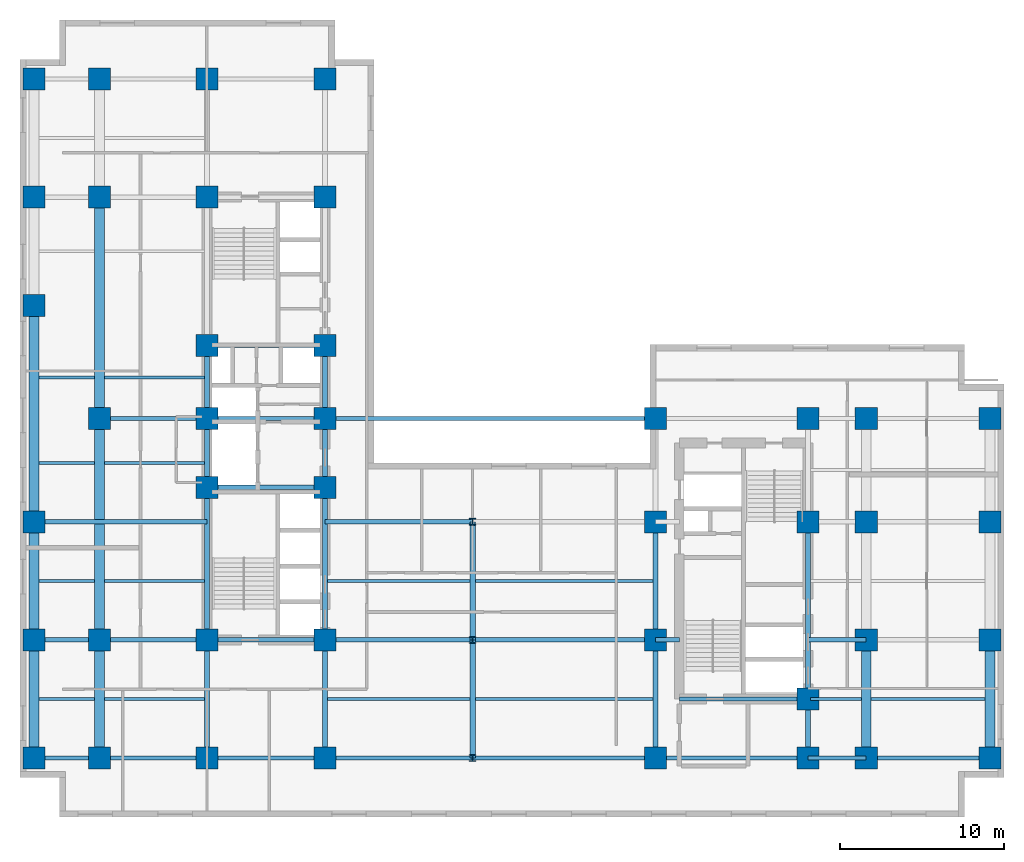
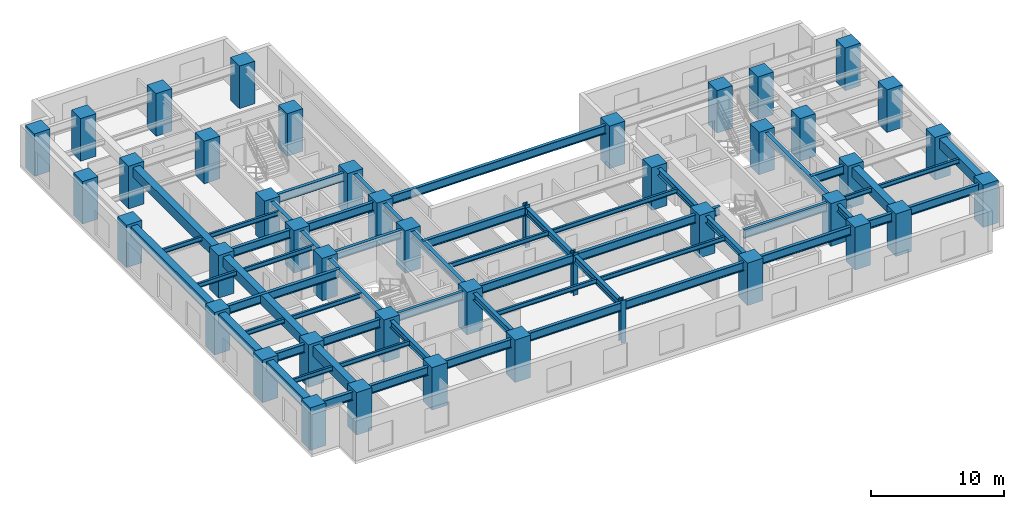
# One storey, part 1 of 9: 59 beams, 44 columns.
"""IFC4 building model written with IfcOpenShell, lengths in metres."""

from ifc_helpers import new_model, entity, si_unit, converted_unit, direction, frame, origin_with_axes, origin_2d_with_axis, place, context, subcontext, project, spatial, rectangle, i_section, extrude, material, material_profile, profile_set, type_object, element, save


model = new_model("IFC4")

# Units and contexts
model_context = context("Model", 3, precision=1e-05, world=origin_with_axes(), true_north=direction((0.0, 1.0)))
body_context = subcontext(model_context, "Body", "Model", "MODEL_VIEW")
ifc_project = project(units=[si_unit("LENGTHUNIT", "METRE"), si_unit("AREAUNIT", "SQUARE_METRE"), si_unit("VOLUMEUNIT", "CUBIC_METRE"), converted_unit("PLANEANGLEUNIT", "DEGREE", entity("IfcPlaneAngleMeasure", 0.017453292519943295), si_unit("PLANEANGLEUNIT", "RADIAN"), dimensions=[0, 0, 0, 0, 0, 0, 0]), si_unit("MASSUNIT", "GRAM", prefix="KILO"), si_unit("THERMODYNAMICTEMPERATUREUNIT", "KELVIN")], contexts=[model_context])

# Site, building, storey
site_placement = place(None, origin_with_axes())
site = spatial("IfcSite", under=ifc_project, at=site_placement, CompositionType="ELEMENT")
building_placement = place(site_placement, origin_with_axes())
building = spatial("IfcBuilding", under=site, at=building_placement, Name="Varnlund Millrace Tower", CompositionType="ELEMENT")
storey_placement = place(building_placement, frame((0.0, 0.0, 63.9), z_axis=(0.0, 0.0, 1.0), x_axis=(1.0, 0.0, 0.0)))
storey = spatial("IfcBuildingStorey", under=building, at=storey_placement, Name="L15", CompositionType="ELEMENT", Elevation=63.9)

# Columns
ifc_material_1 = material(Name="Steel ASTM A913 Grade 65", Category="steel")
ifc_material_profile_1 = material_profile(ifc_material_1, i_section(OverallWidth=0.406, OverallDepth=0.416, WebThickness=0.0298, FlangeThickness=0.048, FilletRadius=0.022, at=origin_2d_with_axis()), Name="Steel ASTM A913 Grade 65")
ifc_profile_set_1 = profile_set([ifc_material_profile_1], Name="Steel ASTM A913 Grade 65")
column_type_1 = type_object("IfcColumnType", Name="Type-Col-Int-W14X257", PredefinedType="COLUMN", material=ifc_profile_set_1)
for number, where, z_axis, x_axis, name in (
    (1, (27.6, 3.6, 0.0), (0.0, 0.0, 1.0), (1.0, 0.0, 0.0), "Type-Col-Int-W14X257"),
    (2, (27.6, 10.8, 0.0), (0.0, 0.0, 1.0), (1.0, 0.0, 0.0), "Type-Col-Int-W14X257"),
    (3, (27.6, 18.0, 0.0), (0.0, 0.0, 1.0), (1.0, 0.0, 0.0), "Type-Col-Int-W14X257"),
):
    element("IfcColumn", number, at=place(storey_placement, frame(where, z_axis=z_axis, x_axis=x_axis)), inside=storey, type_object=column_type_1, Name=name, PredefinedType="COLUMN", context=body_context, shape_type="SweptSolid", body=[
        extrude(i_section(OverallWidth=0.406, OverallDepth=0.416, WebThickness=0.0298, FlangeThickness=0.048, FilletRadius=0.022, at=origin_2d_with_axis()), origin_with_axes(), (0.0, 0.0, 1.0), 3.9),
    ])
ifc_material_2 = material(Name="Concrete C80/95", Category="concrete")
ifc_material_profile_2 = material_profile(ifc_material_2, rectangle(XDim=1.35, YDim=1.35, at=origin_2d_with_axis()), Name="Concrete C80/95")
ifc_profile_set_2 = profile_set([ifc_material_profile_2], Name="Concrete C80/95")
column_type_2 = type_object("IfcColumnType", Name="Type-Col-RC1350-C80", PredefinedType="COLUMN", material=ifc_profile_set_2)
for number, where, z_axis, x_axis, name in (
    (4, (11.4, 3.6, 0.0), (0.0, 0.0, 1.0), (1.0, 0.0, 0.0), "Type-Col-RC1350-C80"),
    (5, (11.4, 10.8, 0.0), (0.0, 0.0, 1.0), (1.0, 0.0, 0.0), "Type-Col-RC1350-C80"),
    (6, (11.4, 20.1, 0.0), (0.0, 0.0, 1.0), (1.0, 0.0, 0.0), "Type-Col-RC1350-C80"),
    (7, (11.4, 24.3, 0.0), (0.0, 0.0, 1.0), (1.0, 0.0, 0.0), "Type-Col-RC1350-C80"),
    (8, (11.4, 28.75, 0.0), (0.0, 0.0, 1.0), (1.0, 0.0, 0.0), "Type-Col-RC1350-C80"),
    (9, (11.4, 37.8, 0.0), (0.0, 0.0, 1.0), (1.0, 0.0, 0.0), "Type-Col-RC1350-C80"),
    (10, (11.4, 45.0, 0.0), (0.0, 0.0, 1.0), (1.0, 0.0, 0.0), "Type-Col-RC1350-C80"),
    (11, (18.6, 3.6, 0.0), (0.0, 0.0, 1.0), (1.0, 0.0, 0.0), "Type-Col-RC1350-C80"),
    (12, (18.6, 10.8, 0.0), (0.0, 0.0, 1.0), (1.0, 0.0, 0.0), "Type-Col-RC1350-C80"),
    (13, (18.6, 20.1, 0.0), (0.0, 0.0, 1.0), (1.0, 0.0, 0.0), "Type-Col-RC1350-C80"),
    (14, (18.6, 24.3, 0.0), (0.0, 0.0, 1.0), (1.0, 0.0, 0.0), "Type-Col-RC1350-C80"),
    (15, (18.6, 28.75, 0.0), (0.0, 0.0, 1.0), (1.0, 0.0, 0.0), "Type-Col-RC1350-C80"),
    (16, (18.6, 37.8, 0.0), (0.0, 0.0, 1.0), (1.0, 0.0, 0.0), "Type-Col-RC1350-C80"),
    (17, (18.6, 45.0, 0.0), (0.0, 0.0, 1.0), (1.0, 0.0, 0.0), "Type-Col-RC1350-C80"),
    (18, (4.85, 3.6, 0.0), (0.0, 0.0, 1.0), (1.0, 0.0, 0.0), "Type-Col-RC1350-C80"),
    (19, (4.85, 10.8, 0.0), (0.0, 0.0, 1.0), (1.0, 0.0, 0.0), "Type-Col-RC1350-C80"),
    (20, (4.85, 24.3, 0.0), (0.0, 0.0, 1.0), (1.0, 0.0, 0.0), "Type-Col-RC1350-C80"),
    (21, (4.85, 37.8, 0.0), (0.0, 0.0, 1.0), (1.0, 0.0, 0.0), "Type-Col-RC1350-C80"),
    (22, (4.85, 45.0, 0.0), (0.0, 0.0, 1.0), (1.0, 0.0, 0.0), "Type-Col-RC1350-C80"),
    (23, (0.85, 3.6, 0.0), (0.0, 0.0, 1.0), (1.0, 0.0, 0.0), "Type-Col-RC1350-C80"),
    (24, (0.85, 10.8, 0.0), (0.0, 0.0, 1.0), (1.0, 0.0, 0.0), "Type-Col-RC1350-C80"),
    (25, (0.85, 18.0, 0.0), (0.0, 0.0, 1.0), (1.0, 0.0, 0.0), "Type-Col-RC1350-C80"),
    (26, (0.85, 31.2, 0.0), (0.0, 0.0, 1.0), (1.0, 0.0, 0.0), "Type-Col-RC1350-C80"),
    (27, (0.85, 37.8, 0.0), (0.0, 0.0, 1.0), (1.0, 0.0, 0.0), "Type-Col-RC1350-C80"),
    (28, (0.85, 45.0, 0.0), (0.0, 0.0, 1.0), (1.0, 0.0, 0.0), "Type-Col-RC1350-C80"),
    (29, (38.75, 3.6, 0.0), (0.0, 0.0, 1.0), (1.0, 0.0, 0.0), "Type-Col-RC1350-C80"),
    (30, (38.75, 10.8, 0.0), (0.0, 0.0, 1.0), (1.0, 0.0, 0.0), "Type-Col-RC1350-C80"),
    (31, (38.75, 18.0, 0.0), (0.0, 0.0, 1.0), (1.0, 0.0, 0.0), "Type-Col-RC1350-C80"),
    (32, (38.75, 24.3, 0.0), (0.0, 0.0, 1.0), (1.0, 0.0, 0.0), "Type-Col-RC1350-C80"),
    (33, (48.05, 3.6, 0.0), (0.0, 0.0, 1.0), (1.0, 0.0, 0.0), "Type-Col-RC1350-C80"),
    (34, (48.05, 7.2, 0.0), (0.0, 0.0, 1.0), (1.0, 0.0, 0.0), "Type-Col-RC1350-C80"),
    (35, (48.05, 18.0, 0.0), (0.0, 0.0, 1.0), (1.0, 0.0, 0.0), "Type-Col-RC1350-C80"),
    (36, (48.05, 24.3, 0.0), (0.0, 0.0, 1.0), (1.0, 0.0, 0.0), "Type-Col-RC1350-C80"),
    (37, (51.6, 3.6, 0.0), (0.0, 0.0, 1.0), (1.0, 0.0, 0.0), "Type-Col-RC1350-C80"),
    (38, (51.6, 10.8, 0.0), (0.0, 0.0, 1.0), (1.0, 0.0, 0.0), "Type-Col-RC1350-C80"),
    (39, (51.6, 18.0, 0.0), (0.0, 0.0, 1.0), (1.0, 0.0, 0.0), "Type-Col-RC1350-C80"),
    (40, (51.6, 24.3, 0.0), (0.0, 0.0, 1.0), (1.0, 0.0, 0.0), "Type-Col-RC1350-C80"),
    (41, (59.15, 3.6, 0.0), (0.0, 0.0, 1.0), (1.0, 0.0, 0.0), "Type-Col-RC1350-C80"),
    (42, (59.15, 10.8, 0.0), (0.0, 0.0, 1.0), (1.0, 0.0, 0.0), "Type-Col-RC1350-C80"),
    (43, (59.15, 18.0, 0.0), (0.0, 0.0, 1.0), (1.0, 0.0, 0.0), "Type-Col-RC1350-C80"),
    (44, (59.15, 24.3, 0.0), (0.0, 0.0, 1.0), (1.0, 0.0, 0.0), "Type-Col-RC1350-C80"),
):
    element("IfcColumn", number, at=place(storey_placement, frame(where, z_axis=z_axis, x_axis=x_axis)), inside=storey, type_object=column_type_2, Name=name, PredefinedType="COLUMN", context=body_context, shape_type="SweptSolid", body=[
        extrude(rectangle(XDim=1.35, YDim=1.35, at=origin_2d_with_axis()), origin_with_axes(), (0.0, 0.0, 1.0), 3.9),
    ])

# Beams
ifc_material_3 = material(Name="Steel ASTM A992 Grade 50", Category="steel")
ifc_material_profile_3 = material_profile(ifc_material_3, i_section(OverallWidth=0.328, OverallDepth=0.628, WebThickness=0.0165, FlangeThickness=0.0277, FilletRadius=0.018, at=origin_2d_with_axis()), Name="Steel ASTM A992 Grade 50")
ifc_profile_set_3 = profile_set([ifc_material_profile_3], Name="Steel ASTM A992 Grade 50")
beam_type_1 = type_object("IfcBeamType", Name="Type-Girder-W24X146", PredefinedType="USERDEFINED", material=ifc_profile_set_3)
beam_1_placement = place(storey_placement, frame((11.4, 3.6, 3.346), z_axis=(0.0, 1.0, 0.0), x_axis=(-1.0, 0.0, 0.0)))
element("IfcBeam", 45, at=beam_1_placement, inside=storey, type_object=beam_type_1, Name="Type-Girder-W24X146", ObjectType="GIRDER", PredefinedType="USERDEFINED", context=body_context, shape_type="SweptSolid", body=[
    extrude(i_section(OverallWidth=0.328, OverallDepth=0.628, WebThickness=0.0165, FlangeThickness=0.0277, FilletRadius=0.018, at=origin_2d_with_axis()), origin_with_axes(), (0.0, 0.0, 1.0), 7.2),
])
beam_2_placement = place(storey_placement, frame((11.4, 10.8, 3.346), z_axis=(0.0, 1.0, 0.0), x_axis=(-1.0, 0.0, 0.0)))
element("IfcBeam", 46, at=beam_2_placement, inside=storey, type_object=beam_type_1, Name="Type-Girder-W24X146", ObjectType="GIRDER", PredefinedType="USERDEFINED", context=body_context, shape_type="SweptSolid", body=[
    extrude(i_section(OverallWidth=0.328, OverallDepth=0.628, WebThickness=0.0165, FlangeThickness=0.0277, FilletRadius=0.018, at=origin_2d_with_axis()), origin_with_axes(), (0.0, 0.0, 1.0), 9.3),
])
beam_3_placement = place(storey_placement, frame((11.4, 20.1, 3.346), z_axis=(0.0, 1.0, 0.0), x_axis=(-1.0, 0.0, 0.0)))
element("IfcBeam", 47, at=beam_3_placement, inside=storey, type_object=beam_type_1, Name="Type-Girder-W24X146", ObjectType="GIRDER", PredefinedType="USERDEFINED", context=body_context, shape_type="SweptSolid", body=[
    extrude(i_section(OverallWidth=0.328, OverallDepth=0.628, WebThickness=0.0165, FlangeThickness=0.0277, FilletRadius=0.018, at=origin_2d_with_axis()), origin_with_axes(), (0.0, 0.0, 1.0), 4.2),
])
beam_4_placement = place(storey_placement, frame((11.4, 24.3, 3.346), z_axis=(0.0, 1.0, 0.0), x_axis=(-1.0, 0.0, 0.0)))
element("IfcBeam", 48, at=beam_4_placement, inside=storey, type_object=beam_type_1, Name="Type-Girder-W24X146", ObjectType="GIRDER", PredefinedType="USERDEFINED", context=body_context, shape_type="SweptSolid", body=[
    extrude(i_section(OverallWidth=0.328, OverallDepth=0.628, WebThickness=0.0165, FlangeThickness=0.0277, FilletRadius=0.018, at=origin_2d_with_axis()), origin_with_axes(), (0.0, 0.0, 1.0), 4.45),
])
beam_5_placement = place(storey_placement, frame((18.6, 3.6, 3.346), z_axis=(0.0, 1.0, 0.0), x_axis=(-1.0, 0.0, 0.0)))
element("IfcBeam", 49, at=beam_5_placement, inside=storey, type_object=beam_type_1, Name="Type-Girder-W24X146", ObjectType="GIRDER", PredefinedType="USERDEFINED", context=body_context, shape_type="SweptSolid", body=[
    extrude(i_section(OverallWidth=0.328, OverallDepth=0.628, WebThickness=0.0165, FlangeThickness=0.0277, FilletRadius=0.018, at=origin_2d_with_axis()), origin_with_axes(), (0.0, 0.0, 1.0), 7.2),
])
beam_6_placement = place(storey_placement, frame((18.6, 10.8, 3.346), z_axis=(0.0, 1.0, 0.0), x_axis=(-1.0, 0.0, 0.0)))
element("IfcBeam", 50, at=beam_6_placement, inside=storey, type_object=beam_type_1, Name="Type-Girder-W24X146", ObjectType="GIRDER", PredefinedType="USERDEFINED", context=body_context, shape_type="SweptSolid", body=[
    extrude(i_section(OverallWidth=0.328, OverallDepth=0.628, WebThickness=0.0165, FlangeThickness=0.0277, FilletRadius=0.018, at=origin_2d_with_axis()), origin_with_axes(), (0.0, 0.0, 1.0), 9.3),
])
beam_7_placement = place(storey_placement, frame((18.6, 20.1, 3.346), z_axis=(0.0, 1.0, 0.0), x_axis=(-1.0, 0.0, 0.0)))
element("IfcBeam", 51, at=beam_7_placement, inside=storey, type_object=beam_type_1, Name="Type-Girder-W24X146", ObjectType="GIRDER", PredefinedType="USERDEFINED", context=body_context, shape_type="SweptSolid", body=[
    extrude(i_section(OverallWidth=0.328, OverallDepth=0.628, WebThickness=0.0165, FlangeThickness=0.0277, FilletRadius=0.018, at=origin_2d_with_axis()), origin_with_axes(), (0.0, 0.0, 1.0), 4.2),
])
beam_8_placement = place(storey_placement, frame((18.6, 24.3, 3.346), z_axis=(0.0, 1.0, 0.0), x_axis=(-1.0, 0.0, 0.0)))
element("IfcBeam", 52, at=beam_8_placement, inside=storey, type_object=beam_type_1, Name="Type-Girder-W24X146", ObjectType="GIRDER", PredefinedType="USERDEFINED", context=body_context, shape_type="SweptSolid", body=[
    extrude(i_section(OverallWidth=0.328, OverallDepth=0.628, WebThickness=0.0165, FlangeThickness=0.0277, FilletRadius=0.018, at=origin_2d_with_axis()), origin_with_axes(), (0.0, 0.0, 1.0), 4.45),
])
for number, where, z_axis, x_axis, name in (
    (53, (27.6, 3.6, 3.346), (0.0, 1.0, 0.0), (-1.0, 0.0, 0.0), "Type-Girder-W24X146"),
    (54, (27.6, 10.8, 3.346), (0.0, 1.0, 0.0), (-1.0, 0.0, 0.0), "Type-Girder-W24X146"),
    (55, (38.75, 3.6, 3.346), (0.0, 1.0, 0.0), (-1.0, 0.0, 0.0), "Type-Girder-W24X146"),
    (56, (38.75, 10.8, 3.346), (0.0, 1.0, 0.0), (-1.0, 0.0, 0.0), "Type-Girder-W24X146"),
):
    element("IfcBeam", number, at=place(storey_placement, frame(where, z_axis=z_axis, x_axis=x_axis)), inside=storey, type_object=beam_type_1, Name=name, ObjectType="GIRDER", PredefinedType="USERDEFINED", context=body_context, shape_type="SweptSolid", body=[
        extrude(i_section(OverallWidth=0.328, OverallDepth=0.628, WebThickness=0.0165, FlangeThickness=0.0277, FilletRadius=0.018, at=origin_2d_with_axis()), origin_with_axes(), (0.0, 0.0, 1.0), 7.2),
    ])
beam_9_placement = place(storey_placement, frame((48.05, 3.6, 3.346), z_axis=(0.0, 1.0, 0.0), x_axis=(-1.0, 0.0, 0.0)))
element("IfcBeam", 57, at=beam_9_placement, inside=storey, type_object=beam_type_1, Name="Type-Girder-W24X146", ObjectType="GIRDER", PredefinedType="USERDEFINED", context=body_context, shape_type="SweptSolid", body=[
    extrude(i_section(OverallWidth=0.328, OverallDepth=0.628, WebThickness=0.0165, FlangeThickness=0.0277, FilletRadius=0.018, at=origin_2d_with_axis()), origin_with_axes(), (0.0, 0.0, 1.0), 3.6),
])
beam_10_placement = place(storey_placement, frame((48.05, 7.2, 3.346), z_axis=(0.0, 1.0, 0.0), x_axis=(-1.0, 0.0, 0.0)))
element("IfcBeam", 58, at=beam_10_placement, inside=storey, type_object=beam_type_1, Name="Type-Girder-W24X146", ObjectType="GIRDER", PredefinedType="USERDEFINED", context=body_context, shape_type="SweptSolid", body=[
    extrude(i_section(OverallWidth=0.328, OverallDepth=0.628, WebThickness=0.0165, FlangeThickness=0.0277, FilletRadius=0.018, at=origin_2d_with_axis()), origin_with_axes(), (0.0, 0.0, 1.0), 10.8),
])
ifc_material_profile_4 = material_profile(ifc_material_3, i_section(OverallWidth=0.266, OverallDepth=0.779, WebThickness=0.0165, FlangeThickness=0.03, FilletRadius=0.02, at=origin_2d_with_axis()), Name="Steel ASTM A992 Grade 50")
ifc_profile_set_4 = profile_set([ifc_material_profile_4], Name="Steel ASTM A992 Grade 50")
beam_type_2 = type_object("IfcBeamType", Name="Type-Girder-W30X148", PredefinedType="USERDEFINED", material=ifc_profile_set_4)
beam_11_placement = place(storey_placement, frame((0.85, 3.6, 3.2705), z_axis=(1.0, 0.0, 0.0), x_axis=(0.0, 1.0, 0.0)))
element("IfcBeam", 59, at=beam_11_placement, inside=storey, type_object=beam_type_2, Name="Type-Girder-W30X148", ObjectType="GIRDER", PredefinedType="USERDEFINED", context=body_context, shape_type="SweptSolid", body=[
    extrude(i_section(OverallWidth=0.266, OverallDepth=0.779, WebThickness=0.0165, FlangeThickness=0.03, FilletRadius=0.02, at=origin_2d_with_axis()), origin_with_axes(), (0.0, 0.0, 1.0), 4.0),
])
beam_12_placement = place(storey_placement, frame((4.85, 3.6, 3.2705), z_axis=(1.0, 0.0, 0.0), x_axis=(0.0, 1.0, 0.0)))
element("IfcBeam", 60, at=beam_12_placement, inside=storey, type_object=beam_type_2, Name="Type-Girder-W30X148", ObjectType="GIRDER", PredefinedType="USERDEFINED", context=body_context, shape_type="SweptSolid", body=[
    extrude(i_section(OverallWidth=0.266, OverallDepth=0.779, WebThickness=0.0165, FlangeThickness=0.03, FilletRadius=0.02, at=origin_2d_with_axis()), origin_with_axes(), (0.0, 0.0, 1.0), 6.55),
])
beam_13_placement = place(storey_placement, frame((11.4, 3.6, 3.2705), z_axis=(1.0, 0.0, 0.0), x_axis=(0.0, 1.0, 0.0)))
element("IfcBeam", 61, at=beam_13_placement, inside=storey, type_object=beam_type_2, Name="Type-Girder-W30X148", ObjectType="GIRDER", PredefinedType="USERDEFINED", context=body_context, shape_type="SweptSolid", body=[
    extrude(i_section(OverallWidth=0.266, OverallDepth=0.779, WebThickness=0.0165, FlangeThickness=0.03, FilletRadius=0.02, at=origin_2d_with_axis()), origin_with_axes(), (0.0, 0.0, 1.0), 7.2),
])
beam_14_placement = place(storey_placement, frame((18.6, 3.6, 3.2705), z_axis=(1.0, 0.0, 0.0), x_axis=(0.0, 1.0, 0.0)))
element("IfcBeam", 62, at=beam_14_placement, inside=storey, type_object=beam_type_2, Name="Type-Girder-W30X148", ObjectType="GIRDER", PredefinedType="USERDEFINED", context=body_context, shape_type="SweptSolid", body=[
    extrude(i_section(OverallWidth=0.266, OverallDepth=0.779, WebThickness=0.0165, FlangeThickness=0.03, FilletRadius=0.02, at=origin_2d_with_axis()), origin_with_axes(), (0.0, 0.0, 1.0), 9.0),
])
beam_15_placement = place(storey_placement, frame((27.6, 3.6, 3.2705), z_axis=(1.0, 0.0, 0.0), x_axis=(0.0, 1.0, 0.0)))
element("IfcBeam", 63, at=beam_15_placement, inside=storey, type_object=beam_type_2, Name="Type-Girder-W30X148", ObjectType="GIRDER", PredefinedType="USERDEFINED", context=body_context, shape_type="SweptSolid", body=[
    extrude(i_section(OverallWidth=0.266, OverallDepth=0.779, WebThickness=0.0165, FlangeThickness=0.03, FilletRadius=0.02, at=origin_2d_with_axis()), origin_with_axes(), (0.0, 0.0, 1.0), 11.15),
])
beam_16_placement = place(storey_placement, frame((38.75, 3.6, 3.2705), z_axis=(1.0, 0.0, 0.0), x_axis=(0.0, 1.0, 0.0)))
element("IfcBeam", 64, at=beam_16_placement, inside=storey, type_object=beam_type_2, Name="Type-Girder-W30X148", ObjectType="GIRDER", PredefinedType="USERDEFINED", context=body_context, shape_type="SweptSolid", body=[
    extrude(i_section(OverallWidth=0.266, OverallDepth=0.779, WebThickness=0.0165, FlangeThickness=0.03, FilletRadius=0.02, at=origin_2d_with_axis()), origin_with_axes(), (0.0, 0.0, 1.0), 9.3),
])
beam_17_placement = place(storey_placement, frame((48.05, 3.6, 3.2705), z_axis=(1.0, 0.0, 0.0), x_axis=(0.0, 1.0, 0.0)))
element("IfcBeam", 65, at=beam_17_placement, inside=storey, type_object=beam_type_2, Name="Type-Girder-W30X148", ObjectType="GIRDER", PredefinedType="USERDEFINED", context=body_context, shape_type="SweptSolid", body=[
    extrude(i_section(OverallWidth=0.266, OverallDepth=0.779, WebThickness=0.0165, FlangeThickness=0.03, FilletRadius=0.02, at=origin_2d_with_axis()), origin_with_axes(), (0.0, 0.0, 1.0), 3.55),
])
beam_18_placement = place(storey_placement, frame((51.6, 3.6, 3.2705), z_axis=(1.0, 0.0, 0.0), x_axis=(0.0, 1.0, 0.0)))
element("IfcBeam", 66, at=beam_18_placement, inside=storey, type_object=beam_type_2, Name="Type-Girder-W30X148", ObjectType="GIRDER", PredefinedType="USERDEFINED", context=body_context, shape_type="SweptSolid", body=[
    extrude(i_section(OverallWidth=0.266, OverallDepth=0.779, WebThickness=0.0165, FlangeThickness=0.03, FilletRadius=0.02, at=origin_2d_with_axis()), origin_with_axes(), (0.0, 0.0, 1.0), 7.55),
])
beam_19_placement = place(storey_placement, frame((40.2, 7.2, 3.2705), z_axis=(1.0, 0.0, 0.0), x_axis=(0.0, 1.0, 0.0)))
element("IfcBeam", 67, at=beam_19_placement, inside=storey, type_object=beam_type_2, Name="Type-Girder-W30X148", ObjectType="GIRDER", PredefinedType="USERDEFINED", context=body_context, shape_type="SweptSolid", body=[
    extrude(i_section(OverallWidth=0.266, OverallDepth=0.779, WebThickness=0.0165, FlangeThickness=0.03, FilletRadius=0.02, at=origin_2d_with_axis()), origin_with_axes(), (0.0, 0.0, 1.0), 7.85),
])
beam_20_placement = place(storey_placement, frame((0.85, 10.8, 3.2705), z_axis=(1.0, 0.0, 0.0), x_axis=(0.0, 1.0, 0.0)))
element("IfcBeam", 68, at=beam_20_placement, inside=storey, type_object=beam_type_2, Name="Type-Girder-W30X148", ObjectType="GIRDER", PredefinedType="USERDEFINED", context=body_context, shape_type="SweptSolid", body=[
    extrude(i_section(OverallWidth=0.266, OverallDepth=0.779, WebThickness=0.0165, FlangeThickness=0.03, FilletRadius=0.02, at=origin_2d_with_axis()), origin_with_axes(), (0.0, 0.0, 1.0), 4.0),
])
beam_21_placement = place(storey_placement, frame((4.85, 10.8, 3.2705), z_axis=(1.0, 0.0, 0.0), x_axis=(0.0, 1.0, 0.0)))
element("IfcBeam", 69, at=beam_21_placement, inside=storey, type_object=beam_type_2, Name="Type-Girder-W30X148", ObjectType="GIRDER", PredefinedType="USERDEFINED", context=body_context, shape_type="SweptSolid", body=[
    extrude(i_section(OverallWidth=0.266, OverallDepth=0.779, WebThickness=0.0165, FlangeThickness=0.03, FilletRadius=0.02, at=origin_2d_with_axis()), origin_with_axes(), (0.0, 0.0, 1.0), 6.55),
])
beam_22_placement = place(storey_placement, frame((11.4, 10.8, 3.2705), z_axis=(1.0, 0.0, 0.0), x_axis=(0.0, 1.0, 0.0)))
element("IfcBeam", 70, at=beam_22_placement, inside=storey, type_object=beam_type_2, Name="Type-Girder-W30X148", ObjectType="GIRDER", PredefinedType="USERDEFINED", context=body_context, shape_type="SweptSolid", body=[
    extrude(i_section(OverallWidth=0.266, OverallDepth=0.779, WebThickness=0.0165, FlangeThickness=0.03, FilletRadius=0.02, at=origin_2d_with_axis()), origin_with_axes(), (0.0, 0.0, 1.0), 7.2),
])
beam_23_placement = place(storey_placement, frame((18.6, 10.8, 3.2705), z_axis=(1.0, 0.0, 0.0), x_axis=(0.0, 1.0, 0.0)))
element("IfcBeam", 71, at=beam_23_placement, inside=storey, type_object=beam_type_2, Name="Type-Girder-W30X148", ObjectType="GIRDER", PredefinedType="USERDEFINED", context=body_context, shape_type="SweptSolid", body=[
    extrude(i_section(OverallWidth=0.266, OverallDepth=0.779, WebThickness=0.0165, FlangeThickness=0.03, FilletRadius=0.02, at=origin_2d_with_axis()), origin_with_axes(), (0.0, 0.0, 1.0), 9.0),
])
beam_24_placement = place(storey_placement, frame((27.6, 10.8, 3.2705), z_axis=(1.0, 0.0, 0.0), x_axis=(0.0, 1.0, 0.0)))
element("IfcBeam", 72, at=beam_24_placement, inside=storey, type_object=beam_type_2, Name="Type-Girder-W30X148", ObjectType="GIRDER", PredefinedType="USERDEFINED", context=body_context, shape_type="SweptSolid", body=[
    extrude(i_section(OverallWidth=0.266, OverallDepth=0.779, WebThickness=0.0165, FlangeThickness=0.03, FilletRadius=0.02, at=origin_2d_with_axis()), origin_with_axes(), (0.0, 0.0, 1.0), 11.15),
])
beam_25_placement = place(storey_placement, frame((38.75, 10.8, 3.2705), z_axis=(1.0, 0.0, 0.0), x_axis=(0.0, 1.0, 0.0)))
element("IfcBeam", 73, at=beam_25_placement, inside=storey, type_object=beam_type_2, Name="Type-Girder-W30X148", ObjectType="GIRDER", PredefinedType="USERDEFINED", context=body_context, shape_type="SweptSolid", body=[
    extrude(i_section(OverallWidth=0.266, OverallDepth=0.779, WebThickness=0.0165, FlangeThickness=0.03, FilletRadius=0.02, at=origin_2d_with_axis()), origin_with_axes(), (0.0, 0.0, 1.0), 1.45),
])
beam_26_placement = place(storey_placement, frame((48.05, 10.8, 3.2705), z_axis=(1.0, 0.0, 0.0), x_axis=(0.0, 1.0, 0.0)))
element("IfcBeam", 74, at=beam_26_placement, inside=storey, type_object=beam_type_2, Name="Type-Girder-W30X148", ObjectType="GIRDER", PredefinedType="USERDEFINED", context=body_context, shape_type="SweptSolid", body=[
    extrude(i_section(OverallWidth=0.266, OverallDepth=0.779, WebThickness=0.0165, FlangeThickness=0.03, FilletRadius=0.02, at=origin_2d_with_axis()), origin_with_axes(), (0.0, 0.0, 1.0), 3.55),
])
beam_27_placement = place(storey_placement, frame((0.85, 18.0, 3.2705), z_axis=(1.0, 0.0, 0.0), x_axis=(0.0, 1.0, 0.0)))
element("IfcBeam", 75, at=beam_27_placement, inside=storey, type_object=beam_type_2, Name="Type-Girder-W30X148", ObjectType="GIRDER", PredefinedType="USERDEFINED", context=body_context, shape_type="SweptSolid", body=[
    extrude(i_section(OverallWidth=0.266, OverallDepth=0.779, WebThickness=0.0165, FlangeThickness=0.03, FilletRadius=0.02, at=origin_2d_with_axis()), origin_with_axes(), (0.0, 0.0, 1.0), 10.55),
])
beam_28_placement = place(storey_placement, frame((18.6, 18.0, 3.2705), z_axis=(1.0, 0.0, 0.0), x_axis=(0.0, 1.0, 0.0)))
element("IfcBeam", 76, at=beam_28_placement, inside=storey, type_object=beam_type_2, Name="Type-Girder-W30X148", ObjectType="GIRDER", PredefinedType="USERDEFINED", context=body_context, shape_type="SweptSolid", body=[
    extrude(i_section(OverallWidth=0.266, OverallDepth=0.779, WebThickness=0.0165, FlangeThickness=0.03, FilletRadius=0.02, at=origin_2d_with_axis()), origin_with_axes(), (0.0, 0.0, 1.0), 9.0),
])
beam_29_placement = place(storey_placement, frame((11.4, 20.1, 3.2705), z_axis=(1.0, 0.0, 0.0), x_axis=(0.0, 1.0, 0.0)))
element("IfcBeam", 77, at=beam_29_placement, inside=storey, type_object=beam_type_2, Name="Type-Girder-W30X148", ObjectType="GIRDER", PredefinedType="USERDEFINED", context=body_context, shape_type="SweptSolid", body=[
    extrude(i_section(OverallWidth=0.266, OverallDepth=0.779, WebThickness=0.0165, FlangeThickness=0.03, FilletRadius=0.02, at=origin_2d_with_axis()), origin_with_axes(), (0.0, 0.0, 1.0), 7.2),
])
beam_30_placement = place(storey_placement, frame((4.85, 24.3, 3.2705), z_axis=(1.0, 0.0, 0.0), x_axis=(0.0, 1.0, 0.0)))
element("IfcBeam", 78, at=beam_30_placement, inside=storey, type_object=beam_type_2, Name="Type-Girder-W30X148", ObjectType="GIRDER", PredefinedType="USERDEFINED", context=body_context, shape_type="SweptSolid", body=[
    extrude(i_section(OverallWidth=0.266, OverallDepth=0.779, WebThickness=0.0165, FlangeThickness=0.03, FilletRadius=0.02, at=origin_2d_with_axis()), origin_with_axes(), (0.0, 0.0, 1.0), 6.55),
])
beam_31_placement = place(storey_placement, frame((11.4, 24.3, 3.2705), z_axis=(1.0, 0.0, 0.0), x_axis=(0.0, 1.0, 0.0)))
element("IfcBeam", 79, at=beam_31_placement, inside=storey, type_object=beam_type_2, Name="Type-Girder-W30X148", ObjectType="GIRDER", PredefinedType="USERDEFINED", context=body_context, shape_type="SweptSolid", body=[
    extrude(i_section(OverallWidth=0.266, OverallDepth=0.779, WebThickness=0.0165, FlangeThickness=0.03, FilletRadius=0.02, at=origin_2d_with_axis()), origin_with_axes(), (0.0, 0.0, 1.0), 7.2),
])
beam_32_placement = place(storey_placement, frame((18.6, 24.3, 3.2705), z_axis=(1.0, 0.0, 0.0), x_axis=(0.0, 1.0, 0.0)))
element("IfcBeam", 80, at=beam_32_placement, inside=storey, type_object=beam_type_2, Name="Type-Girder-W30X148", ObjectType="GIRDER", PredefinedType="USERDEFINED", context=body_context, shape_type="SweptSolid", body=[
    extrude(i_section(OverallWidth=0.266, OverallDepth=0.779, WebThickness=0.0165, FlangeThickness=0.03, FilletRadius=0.02, at=origin_2d_with_axis()), origin_with_axes(), (0.0, 0.0, 1.0), 20.15),
])
beam_33_placement = place(storey_placement, frame((11.4, 28.75, 3.2705), z_axis=(1.0, 0.0, 0.0), x_axis=(0.0, 1.0, 0.0)))
element("IfcBeam", 81, at=beam_33_placement, inside=storey, type_object=beam_type_2, Name="Type-Girder-W30X148", ObjectType="GIRDER", PredefinedType="USERDEFINED", context=body_context, shape_type="SweptSolid", body=[
    extrude(i_section(OverallWidth=0.266, OverallDepth=0.779, WebThickness=0.0165, FlangeThickness=0.03, FilletRadius=0.02, at=origin_2d_with_axis()), origin_with_axes(), (0.0, 0.0, 1.0), 7.2),
])
ifc_material_profile_5 = material_profile(ifc_material_3, i_section(OverallWidth=0.181, OverallDepth=0.417, WebThickness=0.0109, FlangeThickness=0.0182, FilletRadius=0.013, at=origin_2d_with_axis()), Name="Steel ASTM A992 Grade 50")
ifc_profile_set_5 = profile_set([ifc_material_profile_5], Name="Steel ASTM A992 Grade 50")
beam_type_3 = type_object("IfcBeamType", Name="Type-Joist-W16X57", PredefinedType="JOIST", material=ifc_profile_set_5)
for number, where, z_axis, x_axis, name in (
    (82, (1.15, 7.2, 3.4515), (1.0, 0.0, 0.0), (0.0, 1.0, 0.0), "Type-Joist-W16X57"),
    (83, (1.15, 14.4, 3.4515), (1.0, 0.0, 0.0), (0.0, 1.0, 0.0), "Type-Joist-W16X57"),
    (84, (1.15, 21.6, 3.4515), (1.0, 0.0, 0.0), (0.0, 1.0, 0.0), "Type-Joist-W16X57"),
    (85, (1.15, 26.8, 3.4515), (1.0, 0.0, 0.0), (0.0, 1.0, 0.0), "Type-Joist-W16X57"),
):
    element("IfcBeam", number, at=place(storey_placement, frame(where, z_axis=z_axis, x_axis=x_axis)), inside=storey, type_object=beam_type_3, Name=name, PredefinedType="JOIST", context=body_context, shape_type="SweptSolid", body=[
        extrude(i_section(OverallWidth=0.181, OverallDepth=0.417, WebThickness=0.0109, FlangeThickness=0.0182, FilletRadius=0.013, at=origin_2d_with_axis()), origin_with_axes(), (0.0, 0.0, 1.0), 3.4),
    ])
for number, where, z_axis, x_axis, name in (
    (86, (5.15, 7.2, 3.4515), (1.0, 0.0, 0.0), (0.0, 1.0, 0.0), "Type-Joist-W16X57"),
    (87, (5.15, 14.4, 3.4515), (1.0, 0.0, 0.0), (0.0, 1.0, 0.0), "Type-Joist-W16X57"),
    (88, (5.15, 21.6, 3.4515), (1.0, 0.0, 0.0), (0.0, 1.0, 0.0), "Type-Joist-W16X57"),
    (89, (5.15, 26.8, 3.4515), (1.0, 0.0, 0.0), (0.0, 1.0, 0.0), "Type-Joist-W16X57"),
):
    element("IfcBeam", number, at=place(storey_placement, frame(where, z_axis=z_axis, x_axis=x_axis)), inside=storey, type_object=beam_type_3, Name=name, PredefinedType="JOIST", context=body_context, shape_type="SweptSolid", body=[
        extrude(i_section(OverallWidth=0.181, OverallDepth=0.417, WebThickness=0.0109, FlangeThickness=0.0182, FilletRadius=0.013, at=origin_2d_with_axis()), origin_with_axes(), (0.0, 0.0, 1.0), 6.086),
    ])
beam_34_placement = place(storey_placement, frame((48.214, 7.2, 3.4515), z_axis=(1.0, 0.0, 0.0), x_axis=(0.0, 1.0, 0.0)))
element("IfcBeam", 90, at=beam_34_placement, inside=storey, type_object=beam_type_3, Name="Type-Joist-W16X57", PredefinedType="JOIST", context=body_context, shape_type="SweptSolid", body=[
    extrude(i_section(OverallWidth=0.181, OverallDepth=0.417, WebThickness=0.0109, FlangeThickness=0.0182, FilletRadius=0.013, at=origin_2d_with_axis()), origin_with_axes(), (0.0, 0.0, 1.0), 3.086),
])
beam_35_placement = place(storey_placement, frame((51.9, 7.2, 3.4515), z_axis=(1.0, 0.0, 0.0), x_axis=(0.0, 1.0, 0.0)))
element("IfcBeam", 91, at=beam_35_placement, inside=storey, type_object=beam_type_3, Name="Type-Joist-W16X57", PredefinedType="JOIST", context=body_context, shape_type="SweptSolid", body=[
    extrude(i_section(OverallWidth=0.181, OverallDepth=0.417, WebThickness=0.0109, FlangeThickness=0.0182, FilletRadius=0.013, at=origin_2d_with_axis()), origin_with_axes(), (0.0, 0.0, 1.0), 6.95),
])
for number, where, z_axis, x_axis, name in (
    (92, (18.764, 7.2, 3.4515), (1.0, 0.0, 0.0), (0.0, 1.0, 0.0), "Type-Joist-W16X57"),
    (93, (18.764, 14.4, 3.4515), (1.0, 0.0, 0.0), (0.0, 1.0, 0.0), "Type-Joist-W16X57"),
):
    element("IfcBeam", number, at=place(storey_placement, frame(where, z_axis=z_axis, x_axis=x_axis)), inside=storey, type_object=beam_type_3, Name=name, PredefinedType="JOIST", context=body_context, shape_type="SweptSolid", body=[
        extrude(i_section(OverallWidth=0.181, OverallDepth=0.417, WebThickness=0.0109, FlangeThickness=0.0182, FilletRadius=0.013, at=origin_2d_with_axis()), origin_with_axes(), (0.0, 0.0, 1.0), 8.672),
    ])
for number, where, z_axis, x_axis, name in (
    (94, (27.764, 7.2, 3.4515), (1.0, 0.0, 0.0), (0.0, 1.0, 0.0), "Type-Joist-W16X57"),
    (95, (27.764, 14.4, 3.4515), (1.0, 0.0, 0.0), (0.0, 1.0, 0.0), "Type-Joist-W16X57"),
):
    element("IfcBeam", number, at=place(storey_placement, frame(where, z_axis=z_axis, x_axis=x_axis)), inside=storey, type_object=beam_type_3, Name=name, PredefinedType="JOIST", context=body_context, shape_type="SweptSolid", body=[
        extrude(i_section(OverallWidth=0.181, OverallDepth=0.417, WebThickness=0.0109, FlangeThickness=0.0182, FilletRadius=0.013, at=origin_2d_with_axis()), origin_with_axes(), (0.0, 0.0, 1.0), 10.822),
    ])
ifc_material_4 = material(Name="Concrete C70/85", Category="concrete")
ifc_material_profile_6 = material_profile(ifc_material_4, rectangle(XDim=0.6, YDim=0.9, at=origin_2d_with_axis()), Name="Concrete C70/85")
ifc_profile_set_6 = profile_set([ifc_material_profile_6], Name="Concrete C70/85")
beam_type_4 = type_object("IfcBeamType", Name="Type-Spandrel-RC600X900", PredefinedType="SPANDREL", material=ifc_profile_set_6)
for number, where, z_axis, x_axis, name in (
    (96, (0.85, 3.6, 3.21), (0.0, 1.0, 0.0), (-1.0, 0.0, 0.0), "Type-Spandrel-RC600X900"),
    (97, (0.85, 10.8, 3.21), (0.0, 1.0, 0.0), (-1.0, 0.0, 0.0), "Type-Spandrel-RC600X900"),
):
    element("IfcBeam", number, at=place(storey_placement, frame(where, z_axis=z_axis, x_axis=x_axis)), inside=storey, type_object=beam_type_4, Name=name, PredefinedType="SPANDREL", context=body_context, shape_type="SweptSolid", body=[
        extrude(rectangle(XDim=0.6, YDim=0.9, at=origin_2d_with_axis()), origin_with_axes(), (0.0, 0.0, 1.0), 7.2),
    ])
beam_36_placement = place(storey_placement, frame((0.85, 18.0, 3.21), z_axis=(0.0, 1.0, 0.0), x_axis=(-1.0, 0.0, 0.0)))
element("IfcBeam", 98, at=beam_36_placement, inside=storey, type_object=beam_type_4, Name="Type-Spandrel-RC600X900", PredefinedType="SPANDREL", context=body_context, shape_type="SweptSolid", body=[
    extrude(rectangle(XDim=0.6, YDim=0.9, at=origin_2d_with_axis()), origin_with_axes(), (0.0, 0.0, 1.0), 13.2),
])
beam_37_placement = place(storey_placement, frame((4.85, 3.6, 3.21), z_axis=(0.0, 1.0, 0.0), x_axis=(-1.0, 0.0, 0.0)))
element("IfcBeam", 99, at=beam_37_placement, inside=storey, type_object=beam_type_4, Name="Type-Spandrel-RC600X900", PredefinedType="SPANDREL", context=body_context, shape_type="SweptSolid", body=[
    extrude(rectangle(XDim=0.6, YDim=0.9, at=origin_2d_with_axis()), origin_with_axes(), (0.0, 0.0, 1.0), 7.2),
])
for number, where, z_axis, x_axis, name in (
    (100, (4.85, 10.8, 3.21), (0.0, 1.0, 0.0), (-1.0, 0.0, 0.0), "Type-Spandrel-RC600X900"),
    (101, (4.85, 24.3, 3.21), (0.0, 1.0, 0.0), (-1.0, 0.0, 0.0), "Type-Spandrel-RC600X900"),
):
    element("IfcBeam", number, at=place(storey_placement, frame(where, z_axis=z_axis, x_axis=x_axis)), inside=storey, type_object=beam_type_4, Name=name, PredefinedType="SPANDREL", context=body_context, shape_type="SweptSolid", body=[
        extrude(rectangle(XDim=0.6, YDim=0.9, at=origin_2d_with_axis()), origin_with_axes(), (0.0, 0.0, 1.0), 13.5),
    ])
for number, where, z_axis, x_axis, name in (
    (102, (51.6, 3.6, 3.21), (0.0, 1.0, 0.0), (-1.0, 0.0, 0.0), "Type-Spandrel-RC600X900"),
    (103, (59.15, 3.6, 3.21), (0.0, 1.0, 0.0), (-1.0, 0.0, 0.0), "Type-Spandrel-RC600X900"),
):
    element("IfcBeam", number, at=place(storey_placement, frame(where, z_axis=z_axis, x_axis=x_axis)), inside=storey, type_object=beam_type_4, Name=name, PredefinedType="SPANDREL", context=body_context, shape_type="SweptSolid", body=[
        extrude(rectangle(XDim=0.6, YDim=0.9, at=origin_2d_with_axis()), origin_with_axes(), (0.0, 0.0, 1.0), 7.2),
    ])

save(model, "model.ifc")
